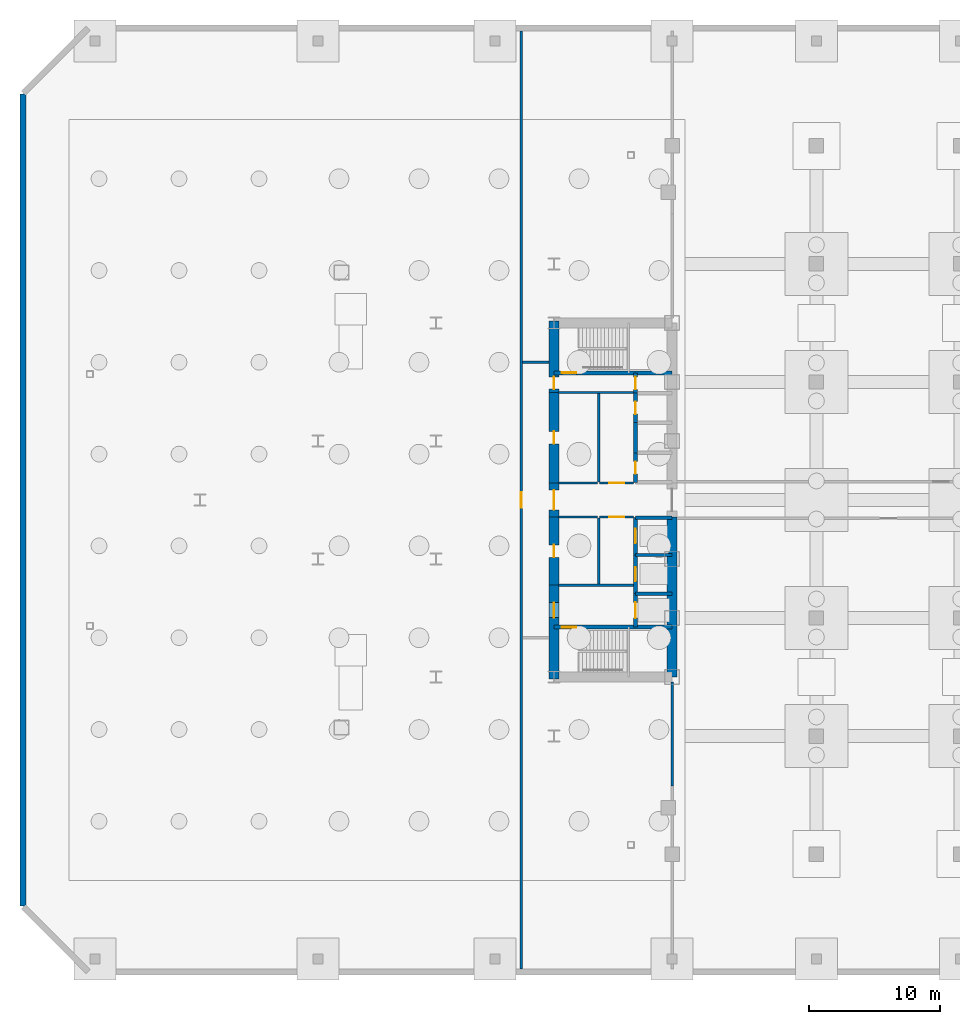
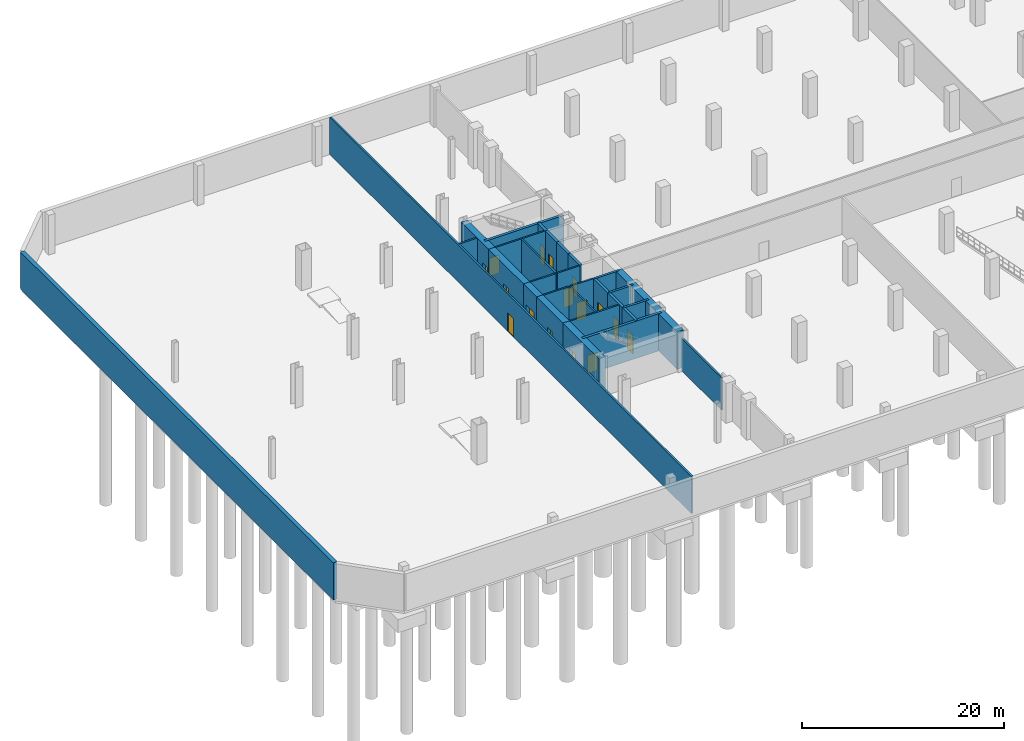
# One storey, part 10 of 18: 30 walls, 16 doors, 16 openings.
"""IFC4 building model written with IfcOpenShell, lengths in metres."""

import ifcopenshell
import ifcopenshell.guid

model = None  # the IFC model being written
_history = None  # IfcOwnerHistory: only IFC2X3 demands one
_inside = {}  # id of a spatial element -> (the spatial element, [elements in it])
_under = {}  # id of a project, library or spatial element -> (it, [spatial elements below it])
_declared = {}  # id of a project -> (the project, [libraries it declares])
_typed = {}  # id of a type object -> (the type object, [elements of that type])
_made_of = {}  # id of a material, layer set ... -> (it, [elements and type objects made of it])


def new_model(schema):
    """Start an empty IFC model of exactly this schema.

    Asked for "IFC4X3", IfcOpenShell would pick the latest addendum, in which some entities
    have other attributes; the version numbers below select the first issue.
    IFC2X3 requires an IfcOwnerHistory on every rooted entity: one is made here for all.
    """
    global model, _history
    if schema == "IFC4X3":
        model = ifcopenshell.file(schema_version=(4, 3, 0, 0))
    else:
        model = ifcopenshell.file(schema=schema)
    _inside.clear()
    _under.clear()
    _declared.clear()
    _typed.clear()
    _made_of.clear()
    _history = None
    if model.schema == "IFC2X3":
        org = make("IfcOrganization", Name="unknown")
        user = make(
            "IfcPersonAndOrganization",
            ThePerson=make("IfcPerson", FamilyName="unknown"),
            TheOrganization=org,
        )
        app = make(
            "IfcApplication",
            ApplicationDeveloper=org,
            Version="unknown",
            ApplicationFullName="unknown",
            ApplicationIdentifier="unknown",
        )
        _history = make(
            "IfcOwnerHistory",
            OwningUser=user,
            OwningApplication=app,
            ChangeAction="ADDED",
            CreationDate=0,
        )
    return model


def make(cls, **values):
    """One entity of the class cls with the attributes given. An attribute that is None is left unset."""
    return model.create_entity(
        cls, **{name: value for name, value in values.items() if value is not None}
    )


def rooted(cls, **values):
    """An entity with a GlobalId (a new one), such as an element, a storey or a relation."""
    return make(cls, GlobalId=ifcopenshell.guid.new(), OwnerHistory=_history, **values)


def si_unit(unit_type, name, prefix=None):
    """IfcSIUnit, for example si_unit("LENGTHUNIT", "METRE", prefix="MILLI")."""
    return make("IfcSIUnit", UnitType=unit_type, Prefix=prefix, Name=name)


def assignment(units):
    """IfcUnitAssignment: the units of a project."""
    return None if units is None else make("IfcUnitAssignment", Units=units)


def point(xyz):
    """IfcCartesianPoint."""
    return None if xyz is None else make("IfcCartesianPoint", Coordinates=xyz)


def direction(xyz):
    """IfcDirection."""
    return None if xyz is None else make("IfcDirection", DirectionRatios=xyz)


def frame(location, z_axis=None, x_axis=None):
    """IfcAxis2Placement3D, a coordinate frame: its origin and axes. An axis left out is left unset."""
    return make(
        "IfcAxis2Placement3D",
        Location=point(location),
        Axis=direction(z_axis),
        RefDirection=direction(x_axis),
    )


def frame_2d(location, x_axis=None):
    """IfcAxis2Placement2D, a coordinate frame in the plane: its origin and x axis."""
    return make(
        "IfcAxis2Placement2D", Location=point(location), RefDirection=direction(x_axis)
    )


def origin():
    """The frame at (0, 0, 0) with its axes left unset."""
    return frame((0.0, 0.0, 0.0))


def place(relative_to, where):
    """IfcLocalPlacement: puts the frame where relative to a parent placement (None: the world)."""
    return make(
        "IfcLocalPlacement", PlacementRelTo=relative_to, RelativePlacement=where
    )


def context(
    kind, dimensions, precision=None, world=None, true_north=None, identifier=None
):
    """IfcGeometricRepresentationContext, for example the 3D "Model" context."""
    return make(
        "IfcGeometricRepresentationContext",
        ContextIdentifier=identifier,
        ContextType=kind,
        CoordinateSpaceDimension=dimensions,
        Precision=precision,
        WorldCoordinateSystem=world,
        TrueNorth=true_north,
    )


def subcontext(parent, identifier, kind, view, scale=None):
    """IfcGeometricRepresentationSubContext, for example "Body" below "Model"."""
    return make(
        "IfcGeometricRepresentationSubContext",
        ContextIdentifier=identifier,
        ContextType=kind,
        ParentContext=parent,
        TargetScale=scale,
        TargetView=view,
    )


def project(units=None, contexts=None):
    """IfcProject with its units and contexts."""
    return rooted(
        "IfcProject",
        Name="project",
        RepresentationContexts=contexts,
        UnitsInContext=assignment(units),
    )


def spatial(cls, under=None, at=None, **own):
    """A site, building, storey or space (cls), placed at a placement, below another one or the project."""
    s = rooted(cls, ObjectPlacement=at, **own)
    if under is not None:
        _under.setdefault(under.id(), (under, []))[1].append(s)
    return s


def profile(cls, at=None, kind="AREA", **sizes):
    """A parametric profile (cls). Its sizes go by their IFC names, for example OverallWidth=200.0."""
    return make(cls, ProfileType=kind, Position=at, **sizes)


def rectangle(**sizes):
    """IfcRectangleProfileDef."""
    return profile("IfcRectangleProfileDef", **sizes)


def extrude(swept, where, along, depth):
    """IfcExtrudedAreaSolid: the profile swept, set in the frame where, extruded along a direction by depth."""
    return make(
        "IfcExtrudedAreaSolid",
        SweptArea=swept,
        Position=where,
        ExtrudedDirection=direction(along),
        Depth=depth,
    )


def shape(context_of_items, identifier, shape_type, items):
    """IfcShapeRepresentation: the items that make up one representation, for example the "Body"."""
    return make(
        "IfcShapeRepresentation",
        ContextOfItems=context_of_items,
        RepresentationIdentifier=identifier,
        RepresentationType=shape_type,
        Items=items,
    )


def source(mapping_origin, context_of_items, identifier, shape_type, items):
    """IfcRepresentationMap: a shape defined once, which mapped items show again and again."""
    return make(
        "IfcRepresentationMap",
        MappingOrigin=mapping_origin,
        MappedRepresentation=shape(context_of_items, identifier, shape_type, items),
    )


def transform(
    local_origin,
    x_axis=None,
    y_axis=None,
    z_axis=None,
    scale=None,
    scale2=None,
    scale3=None,
    uniform=True,
):
    """IfcCartesianTransformationOperator3D, or its non-uniform kind. x_axis, y_axis, z_axis: its Axis1, 2, 3."""
    if uniform:
        return make(
            "IfcCartesianTransformationOperator3D",
            Axis1=direction(x_axis),
            Axis2=direction(y_axis),
            LocalOrigin=point(local_origin),
            Scale=scale,
            Axis3=direction(z_axis),
        )
    return make(
        "IfcCartesianTransformationOperator3DnonUniform",
        Axis1=direction(x_axis),
        Axis2=direction(y_axis),
        LocalOrigin=point(local_origin),
        Scale=scale,
        Axis3=direction(z_axis),
        Scale2=scale2,
        Scale3=scale3,
    )


def mapped(mapping_source, mapping_target):
    """IfcMappedItem: shows the shape of a source again, moved by a transform."""
    return make(
        "IfcMappedItem", MappingSource=mapping_source, MappingTarget=mapping_target
    )


def material(Name=None, Category=None):
    """IfcMaterial."""
    return make("IfcMaterial", Name=Name, Category=Category)


def layer(
    of_material, thickness, ventilated=None, Name=None, Category=None, Priority=None
):
    """IfcMaterialLayer: one layer of a wall or slab, of a material (None: an air gap)."""
    return make(
        "IfcMaterialLayer",
        Material=of_material,
        LayerThickness=thickness,
        IsVentilated=ventilated,
        Name=Name,
        Category=Category,
        Priority=Priority,
    )


def layer_set(layers, Name=None):
    """IfcMaterialLayerSet."""
    return make("IfcMaterialLayerSet", MaterialLayers=layers, LayerSetName=Name)


def made_of(thing, what):
    """Note that an element or type object is made of a material, layer set ...; save() writes the relation."""
    if what is not None:
        _made_of.setdefault(what.id(), (what, []))[1].append(thing)
    return thing


def type_object(cls, material=None, **own):
    """A type object (cls), such as IfcWallType, which elements share."""
    return made_of(rooted(cls, **own), material)


def type_shapes(of_type, sources):
    """Give a type object the sources (RepresentationMaps) that its elements show as mapped items."""
    of_type.RepresentationMaps = sources


def element(
    cls,
    number,
    at=None,
    inside=None,
    cuts=None,
    type_object=None,
    material=None,
    context=None,
    identifier="Body",
    shape_type=None,
    held_by="IfcProductDefinitionShape",
    body=None,
    shapes=None,
    **own,
):
    """One element of the class cls, such as IfcWall. Its Tag is "e" and its number.

    at: its placement. inside: the storey or other place that contains it. cuts: it is an
    opening in that element (IfcRelVoidsElement). A single representation is given by context,
    identifier, shape_type and body (its items); several are given by shapes. held_by: the class
    of the entity that holds the representations. save() writes the other relations.
    """
    e = rooted(cls, Tag="e%d" % number, ObjectPlacement=at, **own)
    if body is not None:
        shapes = [shape(context, identifier, shape_type, body)]
    if shapes is not None:
        e.Representation = make(held_by, Representations=shapes)
    if inside is not None:
        _inside.setdefault(inside.id(), (inside, []))[1].append(e)
    if cuts is not None:
        rooted(
            "IfcRelVoidsElement", RelatingBuildingElement=cuts, RelatedOpeningElement=e
        )
    if type_object is not None:
        _typed.setdefault(type_object.id(), (type_object, []))[1].append(e)
    return made_of(e, material)


def fill(opening, filler):
    """IfcRelFillsElement: the door or window that sits in an opening."""
    return rooted(
        "IfcRelFillsElement",
        RelatingOpeningElement=opening,
        RelatedBuildingElement=filler,
    )


def aggregate(whole, parts):
    """IfcRelAggregates: a whole, such as a stair, and the parts it consists of."""
    return rooted("IfcRelAggregates", RelatingObject=whole, RelatedObjects=parts)


def save(model, path):
    """Write the relations noted so far, then the file.

    IfcRelAggregates (storeys below a building ...), IfcRelContainedInSpatialStructure (elements
    in a storey), IfcRelDefinesByType, IfcRelAssociatesMaterial and IfcRelDeclares: one each for
    every whole, place, type object, material and project.
    """
    for whole, parts in _under.values():
        aggregate(whole, parts)
    for where, things in _inside.values():
        rooted(
            "IfcRelContainedInSpatialStructure",
            RelatedElements=things,
            RelatingStructure=where,
        )
    for kind, things in _typed.values():
        rooted("IfcRelDefinesByType", RelatedObjects=things, RelatingType=kind)
    for what, things in _made_of.values():
        rooted("IfcRelAssociatesMaterial", RelatedObjects=things, RelatingMaterial=what)
    for by, libraries in _declared.values():
        rooted("IfcRelDeclares", RelatingContext=by, RelatedDefinitions=libraries)
    model.write(path)


model = new_model("IFC4")

# Units and contexts
model_context = context("Model", 3, precision=1e-05, world=origin(), true_north=direction((0.0, 1.0)))
body_context = subcontext(model_context, "Body", "Model", "MODEL_VIEW")
ifc_project = project(units=[si_unit("LENGTHUNIT", "METRE"), si_unit("AREAUNIT", "SQUARE_METRE"), si_unit("VOLUMEUNIT", "CUBIC_METRE"), si_unit("PLANEANGLEUNIT", "RADIAN"), si_unit("MASSUNIT", "GRAM", prefix="KILO")], contexts=[model_context])

# Site, building, storey
site_placement = place(None, origin())
site = spatial("IfcSite", under=ifc_project, at=site_placement, CompositionType="ELEMENT")
building_placement = place(site_placement, origin())
building = spatial("IfcBuilding", under=site, at=building_placement, Name="Seokmaru Belvedere", CompositionType="ELEMENT")
storey_placement = place(building_placement, frame((0.0, 0.0, -9.60009765625)))
storey = spatial("IfcBuildingStorey", under=building, at=storey_placement, Name="B2", CompositionType="ELEMENT", Elevation=-9.60009765625)

# Walls
ifc_material_1 = material(Name="Concrete C50 (50 MPa)", Category="concrete")
ifc_layer_1 = layer(ifc_material_1, 0.449951171875)
ifc_layer_set_1 = layer_set([ifc_layer_1], Name="Concrete C50 (50 MPa)")
wall_type_1 = type_object("IfcWallType", Name="Basement Perimeter Retaining Wall 450", PredefinedType="USERDEFINED", material=ifc_layer_set_1)
wall_1_placement = place(storey_placement, frame((-77.0, 30.9599609375, 0.0), z_axis=(0.0, 0.0, 1.0), x_axis=(0.0, -1.0, 0.0)))
element("IfcWall", 1, at=wall_1_placement, inside=storey, type_object=wall_type_1, Name="B2 Perimeter Retaining Wall 7", ObjectType="RETAININGWALL", PredefinedType="USERDEFINED", context=body_context, shape_type="SweptSolid", body=[
    extrude(rectangle(XDim=61.919921875, YDim=0.449951171875, at=frame_2d((30.9599609375, 0.0))), origin(), (0.0, 0.0, 1.0), 4.5),
])
ifc_material_2 = material(Name="Fire-Rated Gypsum Shaftwall")
ifc_layer_2 = layer(ifc_material_2, 0.179931640625)
ifc_layer_set_2 = layer_set([ifc_layer_2], Name="Fire-Rated Gypsum Shaftwall")
wall_type_2 = type_object("IfcWallType", Name="Core Service Fire Partition 180", PredefinedType="PARTITIONING", material=ifc_layer_set_2)
for number, where, z_axis, x_axis, name in (
    (2, (-36.14990234375, -6.5, 0.0), (0.0, 0.0, 1.0), (1.0, 0.0, 0.0), "B2 West Firefighting Lobby Partition"),
    (3, (-36.14990234375, 8.199951171875, 0.0), (0.0, 0.0, 1.0), (1.0, 0.0, 0.0), "B2 West Smokeproof Vestibule Partition"),
):
    element("IfcWall", number, at=place(storey_placement, frame(where, z_axis=z_axis, x_axis=x_axis)), inside=storey, type_object=wall_type_2, Name=name, PredefinedType="PARTITIONING", context=body_context, shape_type="SweptSolid", body=[
        extrude(rectangle(XDim=5.699951171875, YDim=0.179931640625, at=frame_2d((2.85009765625, 0.0))), origin(), (0.0, 0.0, 1.0), 4.5),
    ])
wall_2_placement = place(storey_placement, frame((-33.10009765625, -6.419921875, 0.0), z_axis=(0.0, 0.0, 1.0), x_axis=(0.0, 1.0, 0.0)))
element("IfcWall", 4, at=wall_2_placement, inside=storey, type_object=wall_type_2, Name="B2 West South Core Service Back Wall", PredefinedType="PARTITIONING", context=body_context, shape_type="SweptSolid", body=[
    extrude(rectangle(XDim=5.0400390625, YDim=0.179931640625, at=frame_2d((2.52001953125, 0.0))), origin(), (0.0, 0.0, 1.0), 4.5),
])
wall_3_placement = place(storey_placement, frame((-33.10009765625, 1.3798828125, 0.0), z_axis=(0.0, 0.0, 1.0), x_axis=(0.0, 1.0, 0.0)))
element("IfcWall", 5, at=wall_3_placement, inside=storey, type_object=wall_type_2, Name="B2 West North Core Service Back Wall", PredefinedType="PARTITIONING", context=body_context, shape_type="SweptSolid", body=[
    extrude(rectangle(XDim=6.740234375, YDim=0.179931640625, at=frame_2d((3.3701171875, 0.0))), origin(), (0.0, 0.0, 1.0), 4.5),
])

# Wall, opening, door
wall_4_placement = place(storey_placement, frame((-33.02001953125, -1.300048828125, 0.0), z_axis=(0.0, 0.0, 1.0), x_axis=(1.0, 0.0, 0.0)))
wall_4 = element("IfcWall", 6, at=wall_4_placement, inside=storey, type_object=wall_type_2, Name="B2 West South Lift Lobby Foyer Wall", PredefinedType="PARTITIONING", context=body_context, shape_type="SweptSolid", body=[
    extrude(rectangle(XDim=2.570068359375, YDim=0.179931640625, at=frame_2d((1.28515625, 0.0))), origin(), (0.0, 0.0, 1.0), 4.5),
])
opening_1_placement = place(wall_4_placement, frame((0.7099609375, 0.0, 0.0)))
opening_1 = element("IfcOpeningElement", 7, at=opening_1_placement, cuts=wall_4, Name="Opening D02", PredefinedType="OPENING", context=body_context, shape_type="SweptSolid", body=[
    extrude(rectangle(XDim=1.14990234375, YDim=2.199951171875, at=frame_2d((0.574951171875, 1.10009765625))), frame((0.0, 0.10009765625, 0.0), z_axis=(0.0, -1.0, 0.0), x_axis=(1.0, 0.0, 0.0)), (0.0, 0.0, 1.0), 0.199951171875),
])
ifc_material_3 = material(Name="Fire-Rated Steel Leaf", Category="steel")
door_type_1 = type_object("IfcDoorType", Name="Lobby and Vestibule Fire Door 1150x2200", OperationType="NOTDEFINED", PredefinedType="DOOR", material=ifc_material_3)
shared_shape_1 = source(origin(), body_context, "Body", "SweptSolid", [
    extrude(rectangle(XDim=1.14990234375, YDim=2.199951171875, at=frame_2d((0.574951171875, 1.10009765625))), frame((0.0, 0.02490234375, 0.0), z_axis=(0.0, -1.0, 0.0), x_axis=(1.0, 0.0, 0.0)), (0.0, 0.0, 1.0), 0.050048828125),
])
type_shapes(door_type_1, [shared_shape_1])
door_1_placement = place(opening_1_placement, origin())
door_1 = element("IfcDoor", 8, at=door_1_placement, inside=storey, type_object=door_type_1, Name="B2 West South Core Foyer Door", OperationType="SINGLE_SWING_LEFT", OverallHeight=2.199951171875, OverallWidth=1.14990234375, PredefinedType="DOOR", context=body_context, shape_type="MappedRepresentation", body=[
    mapped(shared_shape_1, transform((0.0, 0.0, 0.0), scale=1.0)),
])
fill(opening_1, door_1)

wall_5_placement = place(storey_placement, frame((-33.02001953125, 1.300048828125, 0.0), z_axis=(0.0, 0.0, 1.0), x_axis=(1.0, 0.0, 0.0)))
wall_5 = element("IfcWall", 9, at=wall_5_placement, inside=storey, type_object=wall_type_2, Name="B2 West North Lift Lobby Foyer Wall", PredefinedType="PARTITIONING", context=body_context, shape_type="SweptSolid", body=[
    extrude(rectangle(XDim=2.570068359375, YDim=0.179931640625, at=frame_2d((1.28515625, 0.0))), origin(), (0.0, 0.0, 1.0), 4.5),
])
opening_2_placement = place(wall_5_placement, frame((0.7099609375, 0.0, 0.0)))
opening_2 = element("IfcOpeningElement", 10, at=opening_2_placement, cuts=wall_5, Name="Opening D02", PredefinedType="OPENING", context=body_context, shape_type="SweptSolid", body=[
    extrude(rectangle(XDim=1.14990234375, YDim=2.199951171875, at=frame_2d((0.574951171875, 1.10009765625))), frame((0.0, 0.10009765625, 0.0), z_axis=(0.0, -1.0, 0.0), x_axis=(1.0, 0.0, 0.0)), (0.0, 0.0, 1.0), 0.199951171875),
])
door_2_placement = place(opening_2_placement, origin())
door_2 = element("IfcDoor", 11, at=door_2_placement, inside=storey, type_object=door_type_1, Name="B2 West North Lift Lobby Door", OperationType="SINGLE_SWING_RIGHT", OverallHeight=2.199951171875, OverallWidth=1.14990234375, PredefinedType="DOOR", context=body_context, shape_type="MappedRepresentation", body=[
    mapped(shared_shape_1, transform((0.0, 0.0, 0.0), scale=1.0)),
])
fill(opening_2, door_2)

# Walls
for number, where, z_axis, x_axis, name in (
    (12, (-36.14990234375, -1.300048828125, 0.0), (0.0, 0.0, 1.0), (1.0, 0.0, 0.0), "B2 West Foyer Side Wall S"),
    (13, (-36.14990234375, 1.300048828125, 0.0), (0.0, 0.0, 1.0), (1.0, 0.0, 0.0), "B2 West Foyer Side Wall N"),
):
    element("IfcWall", number, at=place(storey_placement, frame(where, z_axis=z_axis, x_axis=x_axis)), inside=storey, type_object=wall_type_2, Name=name, PredefinedType="PARTITIONING", context=body_context, shape_type="SweptSolid", body=[
        extrude(rectangle(XDim=2.949951171875, YDim=0.179931640625, at=frame_2d((1.47509765625, 0.0))), origin(), (0.0, 0.0, 1.0), 4.5),
    ])
ifc_layer_3 = layer(ifc_material_1, 0.25)
ifc_layer_set_3 = layer_set([ifc_layer_3], Name="Concrete C50 (50 MPa)")
wall_type_3 = type_object("IfcWallType", Name="Hoistway Transverse Concrete Divider Wall 250", PredefinedType="SHEAR", material=ifc_layer_set_3)
for number, where, z_axis, x_axis, name in (
    (14, (-30.300048828125, -7.14990234375, 0.0), (0.0, 0.0, 1.0), (1.0, 0.0, 0.0), "B2 West Hoistway Divider Core Wall 1"),
    (15, (-30.300048828125, -4.199951171875, 0.0), (0.0, 0.0, 1.0), (1.0, 0.0, 0.0), "B2 West Hoistway Divider Core Wall 2"),
    (16, (-30.300048828125, -1.35009765625, 0.0), (0.0, 0.0, 1.0), (1.0, 0.0, 0.0), "B2 West Hoistway Divider Core Wall 3"),
):
    element("IfcWall", number, at=place(storey_placement, frame(where, z_axis=z_axis, x_axis=x_axis)), inside=storey, type_object=wall_type_3, Name=name, PredefinedType="SHEAR", context=body_context, shape_type="SweptSolid", body=[
        extrude(rectangle(XDim=2.800048828125, YDim=0.25, at=frame_2d((1.39990234375, 0.0))), origin(), (0.0, 0.0, 1.0), 4.5),
    ])
ifc_layer_4 = layer(ifc_material_2, 0.199951171875)
ifc_layer_set_4 = layer_set([ifc_layer_4], Name="Fire-Rated Gypsum Shaftwall")
wall_type_4 = type_object("IfcWallType", Name="Inter-Tenancy Fire Compartment Partition 200", PredefinedType="PARTITIONING", material=ifc_layer_set_4)
wall_6_placement = place(storey_placement, frame((-38.9150390625, 10.5, 0.0), z_axis=(0.0, 0.0, 1.0), x_axis=(1.0, 0.0, 0.0)))
element("IfcWall", 17, at=wall_6_placement, inside=storey, type_object=wall_type_4, Name="B2 Interior Partition 006", PredefinedType="PARTITIONING", context=body_context, shape_type="SweptSolid", body=[
    extrude(rectangle(XDim=2.03515625, YDim=0.199951171875, at=frame_2d((1.017578125, 0.0))), origin(), (0.0, 0.0, 1.0), 4.5),
])

# Wall, opening, door
wall_7_placement = place(storey_placement, frame((-39.0, -35.77001953125, 0.0), z_axis=(0.0, 0.0, 1.0), x_axis=(0.0, 1.0, 0.0)))
wall_7 = element("IfcWall", 18, at=wall_7_placement, inside=storey, type_object=wall_type_4, Name="B2 Interior Partition 008", PredefinedType="PARTITIONING", context=body_context, shape_type="SweptSolid", body=[
    extrude(rectangle(XDim=71.5400390625, YDim=0.199951171875, at=frame_2d((35.77001953125, 0.0))), origin(), (0.0, 0.0, 1.0), 4.5),
])
opening_3_placement = place(wall_7_placement, frame((35.195068359375, 0.0, 0.0)))
opening_3 = element("IfcOpeningElement", 19, at=opening_3_placement, cuts=wall_7, Name="Opening D02", PredefinedType="OPENING", context=body_context, shape_type="SweptSolid", body=[
    extrude(rectangle(XDim=1.14990234375, YDim=2.199951171875, at=frame_2d((0.574951171875, 1.10009765625))), frame((0.0, 0.10986328125, 0.0), z_axis=(0.0, -1.0, 0.0), x_axis=(1.0, 0.0, 0.0)), (0.0, 0.0, 1.0), 0.219970703125),
])
door_3_placement = place(opening_3_placement, origin())
door_3 = element("IfcDoor", 20, at=door_3_placement, inside=storey, type_object=door_type_1, Name="B2 Interior Door 001", OperationType="SINGLE_SWING_LEFT", OverallHeight=2.199951171875, OverallWidth=1.14990234375, PredefinedType="DOOR", context=body_context, shape_type="MappedRepresentation", body=[
    mapped(shared_shape_1, transform((0.0, 0.0, 0.0), scale=1.0)),
])
fill(opening_3, door_3)

# Wall
wall_8_placement = place(storey_placement, frame((-27.5, -21.8125, 0.0), z_axis=(0.0, 0.0, 1.0), x_axis=(0.0, 1.0, 0.0)))
element("IfcWall", 21, at=wall_8_placement, inside=storey, type_object=wall_type_4, Name="B2 Interior Partition 009 Part 2", PredefinedType="PARTITIONING", context=body_context, shape_type="SweptSolid", body=[
    extrude(rectangle(XDim=7.9326171875, YDim=0.199951171875, at=frame_2d((3.96630859375, 0.0))), origin(), (0.0, 0.0, 1.0), 3.912109375),
])

# Wall, opening, door
ifc_layer_5 = layer(ifc_material_1, 0.300048828125)
ifc_layer_set_5 = layer_set([ifc_layer_5], Name="Concrete C50 (50 MPa)")
wall_type_5 = type_object("IfcWallType", Name="Internal Core Stair and Hoistway Wall 300", PredefinedType="SHEAR", material=ifc_layer_set_5)
wall_9_placement = place(storey_placement, frame((-36.5, -9.699951171875, 0.0), z_axis=(0.0, 0.0, 1.0), x_axis=(1.0, 0.0, 0.0)))
wall_9 = element("IfcWall", 22, at=wall_9_placement, inside=storey, type_object=wall_type_5, Name="B2 West Stair ST-1 Enclosure Wall", PredefinedType="SHEAR", context=body_context, shape_type="SweptSolid", body=[
    extrude(rectangle(XDim=9.0, YDim=0.300048828125, at=frame_2d((4.5, 0.0))), origin(), (0.0, 0.0, 1.0), 4.5),
])
opening_4_placement = place(wall_9_placement, frame((0.60009765625, 0.0, 0.0)))
opening_4 = element("IfcOpeningElement", 23, at=opening_4_placement, cuts=wall_9, Name="Opening D01", PredefinedType="OPENING", context=body_context, shape_type="SweptSolid", body=[
    extrude(rectangle(XDim=1.10009765625, YDim=2.199951171875, at=frame_2d((0.550048828125, 1.10009765625))), frame((0.0, 0.16015625, 0.0), z_axis=(0.0, -1.0, 0.0), x_axis=(1.0, 0.0, 0.0)), (0.0, 0.0, 1.0), 0.320068359375),
])
door_type_2 = type_object("IfcDoorType", Name="Special Escape Stair Smokeproof Fire Door 1100x2200", OperationType="NOTDEFINED", PredefinedType="DOOR", material=ifc_material_3)
shared_shape_2 = source(origin(), body_context, "Body", "SweptSolid", [
    extrude(rectangle(XDim=1.10009765625, YDim=2.199951171875, at=frame_2d((0.550048828125, 1.10009765625))), frame((0.0, 0.02490234375, 0.0), z_axis=(0.0, -1.0, 0.0), x_axis=(1.0, 0.0, 0.0)), (0.0, 0.0, 1.0), 0.050048828125),
])
type_shapes(door_type_2, [shared_shape_2])
door_4_placement = place(opening_4_placement, frame((1.10009765625, 0.0, 0.0), z_axis=(0.0, 0.0, 1.0), x_axis=(-1.0, 0.0, 0.0)))
door_4 = element("IfcDoor", 24, at=door_4_placement, inside=storey, type_object=door_type_2, Name="B2 West Special Escape Stair ST-1 Door", OperationType="SINGLE_SWING_LEFT", OverallHeight=2.199951171875, OverallWidth=1.10009765625, PredefinedType="DOOR", context=body_context, shape_type="MappedRepresentation", body=[
    mapped(shared_shape_2, transform((0.0, 0.0, 0.0), scale=1.0)),
])
fill(opening_4, door_4)

wall_10_placement = place(storey_placement, frame((-36.5, 9.699951171875, 0.0), z_axis=(0.0, 0.0, 1.0), x_axis=(1.0, 0.0, 0.0)))
wall_10 = element("IfcWall", 25, at=wall_10_placement, inside=storey, type_object=wall_type_5, Name="B2 West Stair ST-2 Enclosure Wall", PredefinedType="SHEAR", context=body_context, shape_type="SweptSolid", body=[
    extrude(rectangle(XDim=9.0, YDim=0.300048828125, at=frame_2d((4.5, 0.0))), origin(), (0.0, 0.0, 1.0), 4.5),
])
opening_5_placement = place(wall_10_placement, frame((0.60009765625, 0.0, 0.0)))
opening_5 = element("IfcOpeningElement", 26, at=opening_5_placement, cuts=wall_10, Name="Opening D01", PredefinedType="OPENING", context=body_context, shape_type="SweptSolid", body=[
    extrude(rectangle(XDim=1.10009765625, YDim=2.199951171875, at=frame_2d((0.550048828125, 1.10009765625))), frame((0.0, 0.16015625, 0.0), z_axis=(0.0, -1.0, 0.0), x_axis=(1.0, 0.0, 0.0)), (0.0, 0.0, 1.0), 0.320068359375),
])
door_5_placement = place(opening_5_placement, origin())
door_5 = element("IfcDoor", 27, at=door_5_placement, inside=storey, type_object=door_type_2, Name="B2 West Special Escape Stair ST-2 Door", OperationType="SINGLE_SWING_RIGHT", OverallHeight=2.199951171875, OverallWidth=1.10009765625, PredefinedType="DOOR", context=body_context, shape_type="MappedRepresentation", body=[
    mapped(shared_shape_2, transform((0.0, 0.0, 0.0), scale=1.0)),
])
fill(opening_5, door_5)

wall_11_placement = place(storey_placement, frame((-30.300048828125, -9.679931640625, 0.0), z_axis=(0.0, 0.0, 1.0), x_axis=(0.0, 1.0, 0.0)))
wall_11 = element("IfcWall", 28, at=wall_11_placement, inside=storey, type_object=wall_type_5, Name="B2 West Firefighting Lift Shaft Front Wall", PredefinedType="SHEAR", context=body_context, shape_type="SweptSolid", body=[
    extrude(rectangle(XDim=2.559814453125, YDim=0.300048828125, at=frame_2d((1.27978515625, 0.0))), origin(), (0.0, 0.0, 1.0), 4.5),
])
opening_6_placement = place(wall_11_placement, frame((0.679931640625, 0.0, 0.0)))
opening_6 = element("IfcOpeningElement", 29, at=opening_6_placement, cuts=wall_11, Name="Opening LD2", PredefinedType="OPENING", context=body_context, shape_type="SweptSolid", body=[
    extrude(rectangle(XDim=1.199951171875, YDim=2.25, at=frame_2d((0.60009765625, 1.125))), frame((0.0, 0.16015625, 0.0), z_axis=(0.0, -1.0, 0.0), x_axis=(1.0, 0.0, 0.0)), (0.0, 0.0, 1.0), 0.320068359375),
])
ifc_material_4 = material(Name="Stainless Steel 316", Category="steel")
door_type_3 = type_object("IfcDoorType", Name="Firefighting Lift Sliding Landing Door 1200x2250", OperationType="DOUBLE_DOOR_SLIDING", PredefinedType="DOOR", material=ifc_material_4)
shared_shape_3 = source(origin(), body_context, "Body", "SweptSolid", [
    extrude(rectangle(XDim=1.199951171875, YDim=2.25, at=frame_2d((0.60009765625, 1.125))), frame((0.0, 0.02490234375, 0.0), z_axis=(0.0, -1.0, 0.0), x_axis=(1.0, 0.0, 0.0)), (0.0, 0.0, 1.0), 0.050048828125),
])
type_shapes(door_type_3, [shared_shape_3])
door_6_placement = place(opening_6_placement, origin())
door_6 = element("IfcDoor", 30, at=door_6_placement, inside=storey, type_object=door_type_3, Name="B2 West Firefighting Lift Landing Door", OperationType="DOUBLE_DOOR_SLIDING", OverallHeight=2.25, OverallWidth=1.199951171875, PredefinedType="DOOR", context=body_context, shape_type="MappedRepresentation", body=[
    mapped(shared_shape_3, transform((0.0, 0.0, 0.0), scale=1.0)),
])
fill(opening_6, door_6)

wall_12_placement = place(storey_placement, frame((-30.300048828125, -7.1201171875, 0.0), z_axis=(0.0, 0.0, 1.0), x_axis=(0.0, 1.0, 0.0)))
wall_12 = element("IfcWall", 31, at=wall_12_placement, inside=storey, type_object=wall_type_5, Name="B2 West Low-Rise Lift PL-1 Front Wall", PredefinedType="SHEAR", context=body_context, shape_type="SweptSolid", body=[
    extrude(rectangle(XDim=2.920166015625, YDim=0.300048828125, at=frame_2d((1.4599609375, 0.0))), origin(), (0.0, 0.0, 1.0), 4.5),
])
opening_7_placement = place(wall_12_placement, frame((0.909912109375, 0.0, 0.0)))
opening_7 = element("IfcOpeningElement", 32, at=opening_7_placement, cuts=wall_12, Name="Opening LD1", PredefinedType="OPENING", context=body_context, shape_type="SweptSolid", body=[
    extrude(rectangle(XDim=1.10009765625, YDim=2.199951171875, at=frame_2d((0.550048828125, 1.10009765625))), frame((0.0, 0.16015625, 0.0), z_axis=(0.0, -1.0, 0.0), x_axis=(1.0, 0.0, 0.0)), (0.0, 0.0, 1.0), 0.320068359375),
])
door_type_4 = type_object("IfcDoorType", Name="Passenger Lift Sliding Landing Door 1100x2200", OperationType="DOUBLE_DOOR_SLIDING", PredefinedType="DOOR", material=ifc_material_4)
shared_shape_4 = source(origin(), body_context, "Body", "SweptSolid", [
    extrude(rectangle(XDim=1.10009765625, YDim=2.199951171875, at=frame_2d((0.550048828125, 1.10009765625))), frame((0.0, 0.02490234375, 0.0), z_axis=(0.0, -1.0, 0.0), x_axis=(1.0, 0.0, 0.0)), (0.0, 0.0, 1.0), 0.050048828125),
])
type_shapes(door_type_4, [shared_shape_4])
door_7_placement = place(opening_7_placement, origin())
door_7 = element("IfcDoor", 33, at=door_7_placement, inside=storey, type_object=door_type_4, Name="B2 West Low-Rise Lift PL-1 Landing Door", OperationType="DOUBLE_DOOR_SLIDING", OverallHeight=2.199951171875, OverallWidth=1.10009765625, PredefinedType="DOOR", context=body_context, shape_type="MappedRepresentation", body=[
    mapped(shared_shape_4, transform((0.0, 0.0, 0.0), scale=1.0)),
])
fill(opening_7, door_7)

wall_13_placement = place(storey_placement, frame((-30.300048828125, -4.199951171875, 0.0), z_axis=(0.0, 0.0, 1.0), x_axis=(0.0, 1.0, 0.0)))
wall_13 = element("IfcWall", 34, at=wall_13_placement, inside=storey, type_object=wall_type_5, Name="B2 West Low-Rise Lift PL-2 Front Wall", PredefinedType="SHEAR", context=body_context, shape_type="SweptSolid", body=[
    extrude(rectangle(XDim=2.8798828125, YDim=0.300048828125, at=frame_2d((1.43994140625, 0.0))), origin(), (0.0, 0.0, 1.0), 4.5),
])
opening_8_placement = place(wall_13_placement, frame((0.889892578125, 0.0, 0.0)))
opening_8 = element("IfcOpeningElement", 35, at=opening_8_placement, cuts=wall_13, Name="Opening LD1", PredefinedType="OPENING", context=body_context, shape_type="SweptSolid", body=[
    extrude(rectangle(XDim=1.10009765625, YDim=2.199951171875, at=frame_2d((0.550048828125, 1.10009765625))), frame((0.0, 0.16015625, 0.0), z_axis=(0.0, -1.0, 0.0), x_axis=(1.0, 0.0, 0.0)), (0.0, 0.0, 1.0), 0.320068359375),
])
door_8_placement = place(opening_8_placement, origin())
door_8 = element("IfcDoor", 36, at=door_8_placement, inside=storey, type_object=door_type_4, Name="B2 West Low-Rise Lift PL-2 Landing Door", OperationType="DOUBLE_DOOR_SLIDING", OverallHeight=2.199951171875, OverallWidth=1.10009765625, PredefinedType="DOOR", context=body_context, shape_type="MappedRepresentation", body=[
    mapped(shared_shape_4, transform((0.0, 0.0, 0.0), scale=1.0)),
])
fill(opening_8, door_8)

wall_14_placement = place(storey_placement, frame((-30.300048828125, 1.320068359375, 0.0), z_axis=(0.0, 0.0, 1.0), x_axis=(0.0, 1.0, 0.0)))
wall_14 = element("IfcWall", 37, at=wall_14_placement, inside=storey, type_object=wall_type_5, Name="B2 West North Hoistway Wall PH1", PredefinedType="SHEAR", context=body_context, shape_type="SweptSolid", body=[
    extrude(rectangle(XDim=2.280029296875, YDim=0.300048828125, at=frame_2d((1.14013671875, 0.0))), origin(), (0.0, 0.0, 1.0), 4.5),
])
opening_9_placement = place(wall_14_placement, frame((0.6650390625, 0.0, 0.0)))
opening_9 = element("IfcOpeningElement", 38, at=opening_9_placement, cuts=wall_14, Name="Opening D04", PredefinedType="OPENING", context=body_context, shape_type="SweptSolid", body=[
    extrude(rectangle(XDim=0.949951171875, YDim=2.14990234375, at=frame_2d((0.47509765625, 1.074951171875))), frame((0.0, 0.16015625, 0.0), z_axis=(0.0, -1.0, 0.0), x_axis=(1.0, 0.0, 0.0)), (0.0, 0.0, 1.0), 0.320068359375),
])
door_type_5 = type_object("IfcDoorType", Name="Core Service Room Fire Door 950x2150", OperationType="NOTDEFINED", PredefinedType="DOOR", material=ifc_material_3)
shared_shape_5 = source(origin(), body_context, "Body", "SweptSolid", [
    extrude(rectangle(XDim=0.949951171875, YDim=2.14990234375, at=frame_2d((0.47509765625, 1.074951171875))), frame((0.0, 0.02490234375, 0.0), z_axis=(0.0, -1.0, 0.0), x_axis=(1.0, 0.0, 0.0)), (0.0, 0.0, 1.0), 0.050048828125),
])
type_shapes(door_type_5, [shared_shape_5])
door_9_placement = place(opening_9_placement, origin())
door_9 = element("IfcDoor", 39, at=door_9_placement, inside=storey, type_object=door_type_5, Name="B2 West Telecom Room Door", OperationType="SINGLE_SWING_LEFT", OverallHeight=2.14990234375, OverallWidth=0.949951171875, PredefinedType="DOOR", context=body_context, shape_type="MappedRepresentation", body=[
    mapped(shared_shape_5, transform((0.0, 0.0, 0.0), scale=1.0)),
])
fill(opening_9, door_9)

# Wall
wall_15_placement = place(storey_placement, frame((-30.300048828125, 3.60009765625, 0.0), z_axis=(0.0, 0.0, 1.0), x_axis=(0.0, 1.0, 0.0)))
element("IfcWall", 40, at=wall_15_placement, inside=storey, type_object=wall_type_5, Name="B2 West North Hoistway Wall PH2", PredefinedType="SHEAR", context=body_context, shape_type="SweptSolid", body=[
    extrude(rectangle(XDim=2.2998046875, YDim=0.300048828125, at=frame_2d((1.14990234375, 0.0))), origin(), (0.0, 0.0, 1.0), 4.5),
])

# Wall, opening, door
wall_16_placement = place(storey_placement, frame((-30.300048828125, 5.89990234375, 0.0), z_axis=(0.0, 0.0, 1.0), x_axis=(0.0, 1.0, 0.0)))
wall_16 = element("IfcWall", 41, at=wall_16_placement, inside=storey, type_object=wall_type_5, Name="B2 West North Hoistway Wall OBS", PredefinedType="SHEAR", context=body_context, shape_type="SweptSolid", body=[
    extrude(rectangle(XDim=2.25, YDim=0.300048828125, at=frame_2d((1.125, 0.0))), origin(), (0.0, 0.0, 1.0), 4.5),
])
opening_10_placement = place(wall_16_placement, frame((0.64501953125, 0.0, 0.0)))
opening_10 = element("IfcOpeningElement", 42, at=opening_10_placement, cuts=wall_16, Name="Opening D04", PredefinedType="OPENING", context=body_context, shape_type="SweptSolid", body=[
    extrude(rectangle(XDim=0.949951171875, YDim=2.14990234375, at=frame_2d((0.47509765625, 1.074951171875))), frame((0.0, 0.16015625, 0.0), z_axis=(0.0, -1.0, 0.0), x_axis=(1.0, 0.0, 0.0)), (0.0, 0.0, 1.0), 0.320068359375),
])
door_10_placement = place(opening_10_placement, origin())
door_10 = element("IfcDoor", 43, at=door_10_placement, inside=storey, type_object=door_type_5, Name="B2 West Hydronic Riser Door", OperationType="SINGLE_SWING_RIGHT", OverallHeight=2.14990234375, OverallWidth=0.949951171875, PredefinedType="DOOR", context=body_context, shape_type="MappedRepresentation", body=[
    mapped(shared_shape_5, transform((0.0, 0.0, 0.0), scale=1.0)),
])
fill(opening_10, door_10)

wall_17_placement = place(storey_placement, frame((-30.300048828125, 8.14990234375, 0.0), z_axis=(0.0, 0.0, 1.0), x_axis=(0.0, 1.0, 0.0)))
wall_17 = element("IfcWall", 44, at=wall_17_placement, inside=storey, type_object=wall_type_5, Name="B2 West Electrical Riser Front Wall", PredefinedType="SHEAR", context=body_context, shape_type="SweptSolid", body=[
    extrude(rectangle(XDim=1.530029296875, YDim=0.300048828125, at=frame_2d((0.76513671875, 0.0))), origin(), (0.0, 0.0, 1.0), 4.5),
])
opening_11_placement = place(wall_17_placement, frame((0.284912109375, 0.0, 0.0)))
opening_11 = element("IfcOpeningElement", 45, at=opening_11_placement, cuts=wall_17, Name="Opening D04", PredefinedType="OPENING", context=body_context, shape_type="SweptSolid", body=[
    extrude(rectangle(XDim=0.949951171875, YDim=2.14990234375, at=frame_2d((0.47509765625, 1.074951171875))), frame((0.0, 0.16015625, 0.0), z_axis=(0.0, -1.0, 0.0), x_axis=(1.0, 0.0, 0.0)), (0.0, 0.0, 1.0), 0.320068359375),
])
door_11_placement = place(opening_11_placement, origin())
door_11 = element("IfcDoor", 46, at=door_11_placement, inside=storey, type_object=door_type_5, Name="B2 West Electrical Riser Access Door", OperationType="SINGLE_SWING_LEFT", OverallHeight=2.14990234375, OverallWidth=0.949951171875, PredefinedType="DOOR", context=body_context, shape_type="MappedRepresentation", body=[
    mapped(shared_shape_5, transform((0.0, 0.0, 0.0), scale=1.0)),
])
fill(opening_11, door_11)

# Wall
ifc_material_5 = material(Name="Concrete C60 (60 MPa)", Category="concrete")
ifc_layer_6 = layer(ifc_material_5, 0.75)
ifc_layer_set_6 = layer_set([ifc_layer_6], Name="Concrete C60 (60 MPa)")
wall_type_6 = type_object("IfcWallType", Name="Lower Tower Reinforced Concrete Core Wall 750", PredefinedType="SHEAR", material=ifc_layer_set_6)
wall_18_placement = place(storey_placement, frame((-27.5, -13.5, 0.0), z_axis=(0.0, 0.0, 1.0), x_axis=(0.0, 1.0, 0.0)))
element("IfcWall", 47, at=wall_18_placement, inside=storey, type_object=wall_type_6, Name="B2 West Portal Spine Core Wall South", PredefinedType="SHEAR", context=body_context, shape_type="SweptSolid", body=[
    extrude(rectangle(XDim=12.199951171875, YDim=0.75, at=frame_2d((6.10009765625, 0.0))), origin(), (0.0, 0.0, 1.0), 4.5),
])

# Wall, opening, door
wall_19_placement = place(storey_placement, frame((-36.5, -13.64990234375, 0.0), z_axis=(0.0, 0.0, 1.0), x_axis=(0.0, 1.0, 0.0)))
wall_19 = element("IfcWall", 48, at=wall_19_placement, inside=storey, type_object=wall_type_6, Name="B2 West West Core Wall FF", PredefinedType="SHEAR", context=body_context, shape_type="SweptSolid", body=[
    extrude(rectangle(XDim=7.14990234375, YDim=0.75, at=frame_2d((3.574951171875, 0.0))), origin(), (0.0, 0.0, 1.0), 4.5),
])
opening_12_placement = place(wall_19_placement, frame((4.675048828125, 0.0, 0.0)))
opening_12 = element("IfcOpeningElement", 49, at=opening_12_placement, cuts=wall_19, Name="Opening D02", PredefinedType="OPENING", context=body_context, shape_type="SweptSolid", body=[
    extrude(rectangle(XDim=1.14990234375, YDim=2.199951171875, at=frame_2d((0.574951171875, 1.10009765625))), frame((0.0, 0.385009765625, 0.0), z_axis=(0.0, -1.0, 0.0), x_axis=(1.0, 0.0, 0.0)), (0.0, 0.0, 1.0), 0.77001953125),
])
door_12_placement = place(opening_12_placement, frame((1.14990234375, 0.0, 0.0), z_axis=(0.0, 0.0, 1.0), x_axis=(-1.0, 0.0, 0.0)))
door_12 = element("IfcDoor", 50, at=door_12_placement, inside=storey, type_object=door_type_1, Name="B2 West Firefighting Lobby Door", OperationType="SINGLE_SWING_LEFT", OverallHeight=2.199951171875, OverallWidth=1.14990234375, PredefinedType="DOOR", context=body_context, shape_type="MappedRepresentation", body=[
    mapped(shared_shape_1, transform((0.0, 0.0, 0.0), scale=1.0)),
])
fill(opening_12, door_12)

wall_20_placement = place(storey_placement, frame((-36.5, -1.300048828125, 0.0), z_axis=(0.0, 0.0, 1.0), x_axis=(0.0, 1.0, 0.0)))
wall_20 = element("IfcWall", 51, at=wall_20_placement, inside=storey, type_object=wall_type_6, Name="B2 West West Core Wall FOY", PredefinedType="SHEAR", context=body_context, shape_type="SweptSolid", body=[
    extrude(rectangle(XDim=2.60009765625, YDim=0.75, at=frame_2d((1.300048828125, 0.0))), origin(), (0.0, 0.0, 1.0), 4.5),
])
opening_13_placement = place(wall_20_placement, frame((0.550048828125, 0.0, 0.0)))
opening_13 = element("IfcOpeningElement", 52, at=opening_13_placement, cuts=wall_20, Name="Opening D08", PredefinedType="OPENING", context=body_context, shape_type="SweptSolid", body=[
    extrude(rectangle(XDim=1.5, YDim=2.300048828125, at=frame_2d((0.75, 1.14990234375))), frame((0.0, 0.385009765625, 0.0), z_axis=(0.0, -1.0, 0.0), x_axis=(1.0, 0.0, 0.0)), (0.0, 0.0, 1.0), 0.77001953125),
])
door_type_6 = type_object("IfcDoorType", Name="Cross-Corridor Compartment Double Fire Door 1500x2300", OperationType="DOUBLE_SWING_LEFT", PredefinedType="DOOR", material=ifc_material_3)
shared_shape_6 = source(origin(), body_context, "Body", "SweptSolid", [
    extrude(rectangle(XDim=1.5, YDim=2.300048828125, at=frame_2d((0.75, 1.14990234375))), frame((0.0, 0.02490234375, 0.0), z_axis=(0.0, -1.0, 0.0), x_axis=(1.0, 0.0, 0.0)), (0.0, 0.0, 1.0), 0.050048828125),
])
type_shapes(door_type_6, [shared_shape_6])
door_13_placement = place(opening_13_placement, origin())
door_13 = element("IfcDoor", 53, at=door_13_placement, inside=storey, type_object=door_type_6, Name="B2 West Core Foyer Compartment Door", OperationType="DOUBLE_SWING_LEFT", OverallHeight=2.300048828125, OverallWidth=1.5, PredefinedType="DOOR", context=body_context, shape_type="MappedRepresentation", body=[
    mapped(shared_shape_6, transform((0.0, 0.0, 0.0), scale=1.0)),
])
fill(opening_13, door_13)

wall_21_placement = place(storey_placement, frame((-36.5, 8.199951171875, 0.0), z_axis=(0.0, 0.0, 1.0), x_axis=(0.0, 1.0, 0.0)))
wall_21 = element("IfcWall", 54, at=wall_21_placement, inside=storey, type_object=wall_type_6, Name="B2 West West Core Wall VST", PredefinedType="SHEAR", context=body_context, shape_type="SweptSolid", body=[
    extrude(rectangle(XDim=5.449951171875, YDim=0.75, at=frame_2d((2.72509765625, 0.0))), origin(), (0.0, 0.0, 1.0), 4.5),
])
opening_14_placement = place(wall_21_placement, frame((0.2451171875, 0.0, 0.0)))
opening_14 = element("IfcOpeningElement", 55, at=opening_14_placement, cuts=wall_21, Name="Opening D04", PredefinedType="OPENING", context=body_context, shape_type="SweptSolid", body=[
    extrude(rectangle(XDim=0.949951171875, YDim=2.14990234375, at=frame_2d((0.47509765625, 1.074951171875))), frame((0.0, 0.385009765625, 0.0), z_axis=(0.0, -1.0, 0.0), x_axis=(1.0, 0.0, 0.0)), (0.0, 0.0, 1.0), 0.77001953125),
])
door_14_placement = place(opening_14_placement, frame((0.949951171875, 0.0, 0.0), z_axis=(0.0, 0.0, 1.0), x_axis=(-1.0, 0.0, 0.0)))
door_14 = element("IfcDoor", 56, at=door_14_placement, inside=storey, type_object=door_type_5, Name="B2 West Smokeproof Vestibule Door", OperationType="SINGLE_SWING_RIGHT", OverallHeight=2.14990234375, OverallWidth=0.949951171875, PredefinedType="DOOR", context=body_context, shape_type="MappedRepresentation", body=[
    mapped(shared_shape_5, transform((0.0, 0.0, 0.0), scale=1.0)),
])
fill(opening_14, door_14)

wall_22_placement = place(storey_placement, frame((-36.5, -6.5, 0.0), z_axis=(0.0, 0.0, 1.0), x_axis=(0.0, 1.0, 0.0)))
wall_22 = element("IfcWall", 57, at=wall_22_placement, inside=storey, type_object=wall_type_6, Name="B2 West West Core Wall CS1", PredefinedType="SHEAR", context=body_context, shape_type="SweptSolid", body=[
    extrude(rectangle(XDim=5.199951171875, YDim=0.75, at=frame_2d((2.60009765625, 0.0))), origin(), (0.0, 0.0, 1.0), 4.5),
])
opening_15_placement = place(wall_22_placement, frame((2.125, 0.0, 0.0)))
opening_15 = element("IfcOpeningElement", 58, at=opening_15_placement, cuts=wall_22, Name="Opening D04", PredefinedType="OPENING", context=body_context, shape_type="SweptSolid", body=[
    extrude(rectangle(XDim=0.949951171875, YDim=2.14990234375, at=frame_2d((0.47509765625, 1.074951171875))), frame((0.0, 0.385009765625, 0.0), z_axis=(0.0, -1.0, 0.0), x_axis=(1.0, 0.0, 0.0)), (0.0, 0.0, 1.0), 0.77001953125),
])
door_15_placement = place(opening_15_placement, origin())
door_15 = element("IfcDoor", 59, at=door_15_placement, inside=storey, type_object=door_type_5, Name="B2 West Core Service Room Door 1", OperationType="SINGLE_SWING_LEFT", OverallHeight=2.14990234375, OverallWidth=0.949951171875, PredefinedType="DOOR", context=body_context, shape_type="MappedRepresentation", body=[
    mapped(shared_shape_5, transform((0.0, 0.0, 0.0), scale=1.0)),
])
fill(opening_15, door_15)

wall_23_placement = place(storey_placement, frame((-36.5, 1.300048828125, 0.0), z_axis=(0.0, 0.0, 1.0), x_axis=(0.0, 1.0, 0.0)))
wall_23 = element("IfcWall", 60, at=wall_23_placement, inside=storey, type_object=wall_type_6, Name="B2 West West Core Wall CS2", PredefinedType="SHEAR", context=body_context, shape_type="SweptSolid", body=[
    extrude(rectangle(XDim=6.89990234375, YDim=0.75, at=frame_2d((3.449951171875, 0.0))), origin(), (0.0, 0.0, 1.0), 4.5),
])
opening_16_placement = place(wall_23_placement, frame((2.97509765625, 0.0, 0.0)))
opening_16 = element("IfcOpeningElement", 61, at=opening_16_placement, cuts=wall_23, Name="Opening D04", PredefinedType="OPENING", context=body_context, shape_type="SweptSolid", body=[
    extrude(rectangle(XDim=0.949951171875, YDim=2.14990234375, at=frame_2d((0.47509765625, 1.074951171875))), frame((0.0, 0.385009765625, 0.0), z_axis=(0.0, -1.0, 0.0), x_axis=(1.0, 0.0, 0.0)), (0.0, 0.0, 1.0), 0.77001953125),
])
door_16_placement = place(opening_16_placement, origin())
door_16 = element("IfcDoor", 62, at=door_16_placement, inside=storey, type_object=door_type_5, Name="B2 West Core Service Room Door 2", OperationType="SINGLE_SWING_RIGHT", OverallHeight=2.14990234375, OverallWidth=0.949951171875, PredefinedType="DOOR", context=body_context, shape_type="MappedRepresentation", body=[
    mapped(shared_shape_5, transform((0.0, 0.0, 0.0), scale=1.0)),
])
fill(opening_16, door_16)

save(model, "model.ifc")
